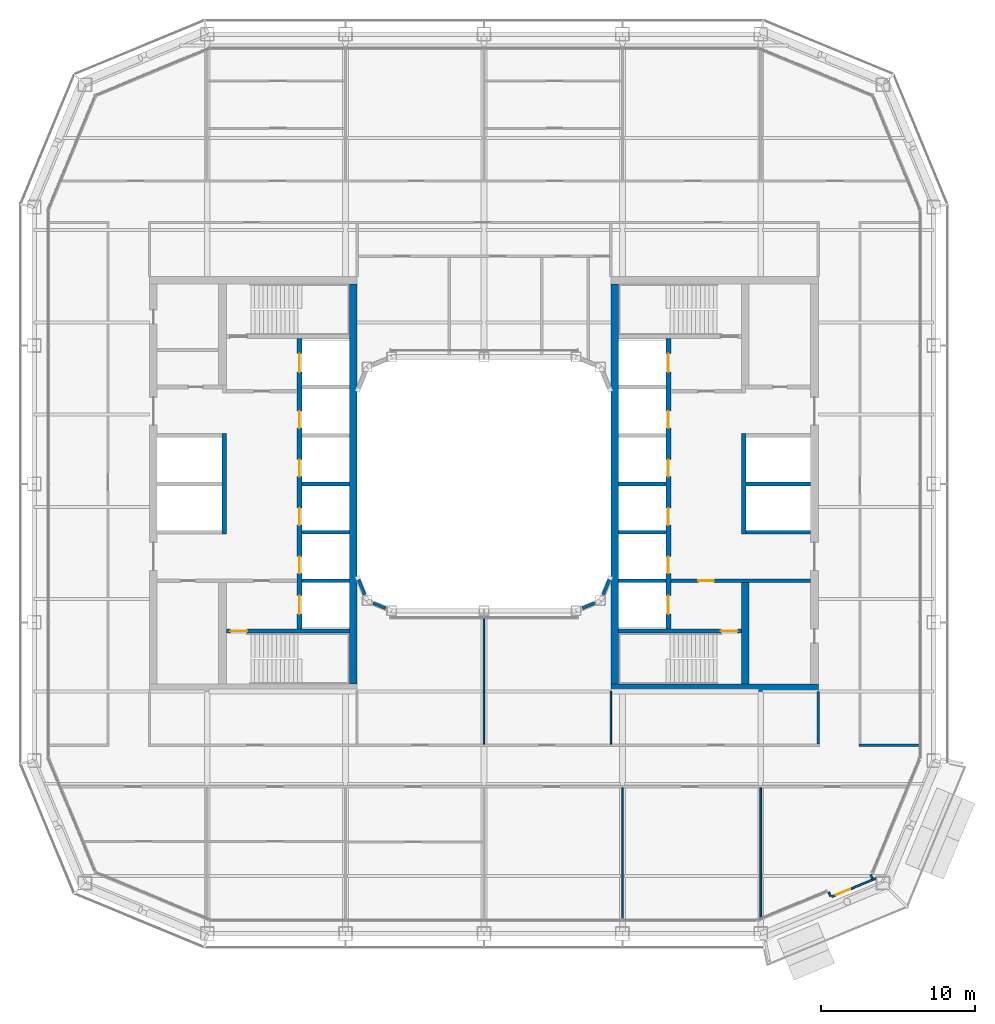
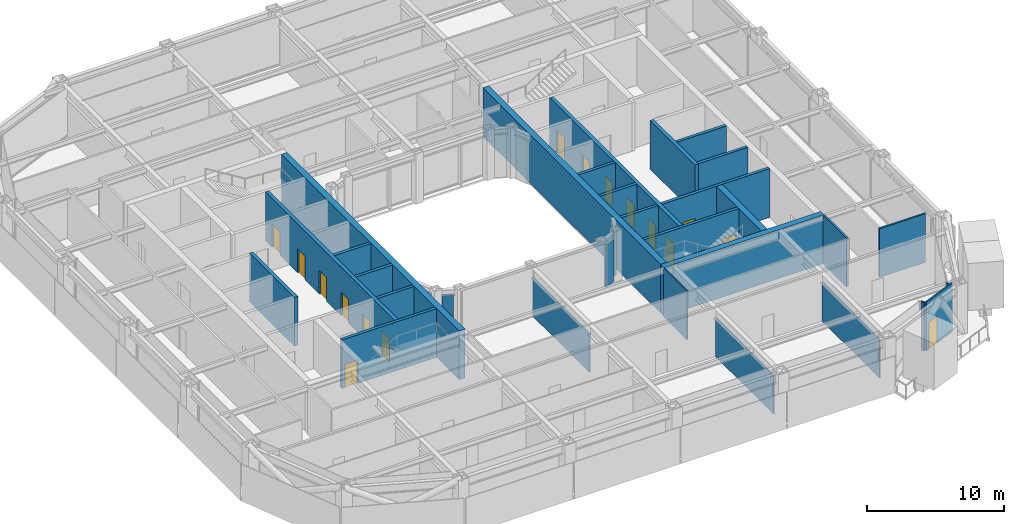
# One storey, part 12 of 23: 32 walls, 16 doors, 16 openings.
"""IFC4 building model written with IfcOpenShell, lengths in metres."""

from ifc_helpers import new_model, si_unit, direction, frame, frame_2d, origin, place, context, subcontext, project, spatial, rectangle, extrude, material, layer, layer_set, type_object, element, fill, save


model = new_model("IFC4")

# Units and contexts
model_context = context("Model", 3, precision=1e-05, world=origin(), true_north=direction((0.0, 1.0)))
body_context = subcontext(model_context, "Body", "Model", "MODEL_VIEW")
ifc_project = project(units=[si_unit("LENGTHUNIT", "METRE"), si_unit("AREAUNIT", "SQUARE_METRE"), si_unit("VOLUMEUNIT", "CUBIC_METRE"), si_unit("PLANEANGLEUNIT", "RADIAN"), si_unit("MASSUNIT", "GRAM", prefix="KILO")], contexts=[model_context])

# Site, building, storey
site_placement = place(None, origin())
site = spatial("IfcSite", under=ifc_project, at=site_placement, CompositionType="ELEMENT")
building_placement = place(site_placement, origin())
building = spatial("IfcBuilding", under=site, at=building_placement, Name="Siwar Civic Tower", CompositionType="ELEMENT")
storey_placement = place(building_placement, frame((0.0, 0.0, 145.199951171875)))
storey = spatial("IfcBuildingStorey", under=building, at=storey_placement, Name="L31", CompositionType="ELEMENT", Elevation=145.199951171875)

# Walls
ifc_material_1 = material(Name="Concrete C60/75", Category="concrete")
ifc_layer_1 = layer(ifc_material_1, 0.25)
ifc_layer_set_1 = layer_set([ifc_layer_1], Name="Concrete C60/75")
wall_type_1 = type_object("IfcWallType", Name="CORE-WALL-RC250", PredefinedType="SHEAR", material=ifc_layer_set_1)
for number, where, z_axis, x_axis, name in (
    (1, (-8.75, 0.0, 0.0), (0.0, 0.0, 1.0), (-1.0, 0.0, 0.0), "Core wall W"),
    (2, (-8.75, -3.14990234375, 0.0), (0.0, 0.0, 1.0), (-1.0, 0.0, 0.0), "Core wall W"),
    (3, (-8.75, -6.300048828125, 0.0), (0.0, 0.0, 1.0), (-1.0, 0.0, 0.0), "Core wall W"),
):
    element("IfcWall", number, at=place(storey_placement, frame(where, z_axis=z_axis, x_axis=x_axis)), inside=storey, type_object=wall_type_1, Name=name, PredefinedType="SHEAR", context=body_context, shape_type="SweptSolid", body=[
        extrude(rectangle(XDim=3.10009765625, YDim=0.25, at=frame_2d((1.550048828125, 0.0))), origin(), (0.0, 0.0, 1.0), 4.35009765625),
    ])

# Wall, opening, door
wall_1_placement = place(storey_placement, frame((-8.75, -9.574951171875, 0.0), z_axis=(0.0, 0.0, 1.0), x_axis=(-1.0, 0.0, 0.0)))
wall_1 = element("IfcWall", 4, at=wall_1_placement, inside=storey, type_object=wall_type_1, Name="Core wall W", PredefinedType="SHEAR", context=body_context, shape_type="SweptSolid", body=[
    extrude(rectangle(XDim=8.0, YDim=0.25, at=frame_2d((4.0, 0.0))), origin(), (0.0, 0.0, 1.0), 4.35009765625),
])
opening_1_placement = place(wall_1_placement, frame((6.64990234375, 0.0, 0.0)))
opening_1 = element("IfcOpeningElement", 5, at=opening_1_placement, cuts=wall_1, Name="Opening L31-CW04", PredefinedType="OPENING", context=body_context, shape_type="SweptSolid", body=[
    extrude(rectangle(XDim=1.10009765625, YDim=2.10009765625, at=frame_2d((0.550048828125, 1.050048828125))), frame((0.0, 0.135009765625, 0.0), z_axis=(0.0, -1.0, 0.0), x_axis=(1.0, 0.0, 0.0)), (0.0, 0.0, 1.0), 0.27001953125),
])
ifc_material_2 = material(Name="Steel door leaf", Category="steel")
door_type_1 = type_object("IfcDoorType", Name="CORE-DOOR-FD60S", OperationType="SINGLE_SWING_LEFT", PredefinedType="DOOR", material=ifc_material_2)
door_1_placement = place(opening_1_placement, origin())
door_1 = element("IfcDoor", 6, at=door_1_placement, inside=storey, type_object=door_type_1, Name="Stair door L31-CW04", OperationType="SINGLE_SWING_LEFT", OverallHeight=2.10009765625, OverallWidth=1.10009765625, PredefinedType="DOOR", context=body_context, shape_type="SweptSolid", body=[
    extrude(rectangle(XDim=1.10009765625, YDim=2.10009765625, at=frame_2d((0.550048828125, 1.050048828125))), frame((0.0, 0.02490234375, 0.0), z_axis=(0.0, -1.0, 0.0), x_axis=(1.0, 0.0, 0.0)), (0.0, 0.0, 1.0), 0.050048828125),
])
fill(opening_1, door_1)

wall_2_placement = place(storey_placement, frame((12.14990234375, -6.300048828125, 0.0), z_axis=(0.0, 0.0, 1.0), x_axis=(1.0, 0.0, 0.0)))
wall_2 = element("IfcWall", 7, at=wall_2_placement, inside=storey, type_object=wall_type_1, Name="Core wall E", PredefinedType="SHEAR", context=body_context, shape_type="SweptSolid", body=[
    extrude(rectangle(XDim=9.10009765625, YDim=0.25, at=frame_2d((4.550048828125, 0.0))), origin(), (0.0, 0.0, 1.0), 4.35009765625),
])
opening_2_placement = place(wall_2_placement, frame((1.800048828125, 0.0, 0.0)))
opening_2 = element("IfcOpeningElement", 8, at=opening_2_placement, cuts=wall_2, Name="Opening L31-CE02", PredefinedType="OPENING", context=body_context, shape_type="SweptSolid", body=[
    extrude(rectangle(XDim=1.0, YDim=2.10009765625, at=frame_2d((0.5, 1.050048828125))), frame((0.0, 0.135009765625, 0.0), z_axis=(0.0, -1.0, 0.0), x_axis=(1.0, 0.0, 0.0)), (0.0, 0.0, 1.0), 0.27001953125),
])
ifc_material_3 = material(Name="Steel door leaf", Category="steel")
door_type_2 = type_object("IfcDoorType", Name="CORE-DOOR-FD30S", OperationType="SINGLE_SWING_LEFT", PredefinedType="DOOR", material=ifc_material_3)
door_2_placement = place(opening_2_placement, origin())
door_2 = element("IfcDoor", 9, at=door_2_placement, inside=storey, type_object=door_type_2, Name="Service lobby door L31-CE02", OperationType="SINGLE_SWING_LEFT", OverallHeight=2.10009765625, OverallWidth=1.0, PredefinedType="DOOR", context=body_context, shape_type="SweptSolid", body=[
    extrude(rectangle(XDim=1.0, YDim=2.10009765625, at=frame_2d((0.5, 1.050048828125))), frame((0.0, 0.02490234375, 0.0), z_axis=(0.0, -1.0, 0.0), x_axis=(1.0, 0.0, 0.0)), (0.0, 0.0, 1.0), 0.050048828125),
])
fill(opening_2, door_2)

# Walls
for number, where, z_axis, x_axis, name in (
    (10, (17.050048828125, 0.0, 0.0), (0.0, 0.0, 1.0), (1.0, 0.0, 0.0), "Core wall E"),
    (11, (17.050048828125, -3.14990234375, 0.0), (0.0, 0.0, 1.0), (1.0, 0.0, 0.0), "Core wall E"),
):
    element("IfcWall", number, at=place(storey_placement, frame(where, z_axis=z_axis, x_axis=x_axis)), inside=storey, type_object=wall_type_1, Name=name, PredefinedType="SHEAR", context=body_context, shape_type="SweptSolid", body=[
        extrude(rectangle(XDim=4.199951171875, YDim=0.25, at=frame_2d((2.10009765625, 0.0))), origin(), (0.0, 0.0, 1.0), 4.35009765625),
    ])
for number, where, z_axis, x_axis, name in (
    (12, (8.75, 0.0, 0.0), (0.0, 0.0, 1.0), (1.0, 0.0, 0.0), "Core wall E"),
    (13, (8.75, -3.14990234375, 0.0), (0.0, 0.0, 1.0), (1.0, 0.0, 0.0), "Core wall E"),
    (14, (8.75, -6.300048828125, 0.0), (0.0, 0.0, 1.0), (1.0, 0.0, 0.0), "Core wall E"),
):
    element("IfcWall", number, at=place(storey_placement, frame(where, z_axis=z_axis, x_axis=x_axis)), inside=storey, type_object=wall_type_1, Name=name, PredefinedType="SHEAR", context=body_context, shape_type="SweptSolid", body=[
        extrude(rectangle(XDim=3.10009765625, YDim=0.25, at=frame_2d((1.550048828125, 0.0))), origin(), (0.0, 0.0, 1.0), 4.35009765625),
    ])

# Wall, opening, door
wall_3_placement = place(storey_placement, frame((8.75, -9.574951171875, 0.0), z_axis=(0.0, 0.0, 1.0), x_axis=(1.0, 0.0, 0.0)))
wall_3 = element("IfcWall", 15, at=wall_3_placement, inside=storey, type_object=wall_type_1, Name="Core wall E", PredefinedType="SHEAR", context=body_context, shape_type="SweptSolid", body=[
    extrude(rectangle(XDim=8.0, YDim=0.25, at=frame_2d((4.0, 0.0))), origin(), (0.0, 0.0, 1.0), 4.35009765625),
])
opening_3_placement = place(wall_3_placement, frame((6.64990234375, 0.0, 0.0)))
opening_3 = element("IfcOpeningElement", 16, at=opening_3_placement, cuts=wall_3, Name="Opening L31-CE04", PredefinedType="OPENING", context=body_context, shape_type="SweptSolid", body=[
    extrude(rectangle(XDim=1.10009765625, YDim=2.10009765625, at=frame_2d((0.550048828125, 1.050048828125))), frame((0.0, 0.135009765625, 0.0), z_axis=(0.0, -1.0, 0.0), x_axis=(1.0, 0.0, 0.0)), (0.0, 0.0, 1.0), 0.27001953125),
])
door_3_placement = place(opening_3_placement, origin())
door_3 = element("IfcDoor", 17, at=door_3_placement, inside=storey, type_object=door_type_1, Name="Stair door L31-CE04", OperationType="SINGLE_SWING_RIGHT", OverallHeight=2.10009765625, OverallWidth=1.10009765625, PredefinedType="DOOR", context=body_context, shape_type="SweptSolid", body=[
    extrude(rectangle(XDim=1.10009765625, YDim=2.10009765625, at=frame_2d((0.550048828125, 1.050048828125))), frame((0.0, 0.02490234375, 0.0), z_axis=(0.0, -1.0, 0.0), x_axis=(1.0, 0.0, 0.0)), (0.0, 0.0, 1.0), 0.050048828125),
])
fill(opening_3, door_3)

# Wall, openings, doors
ifc_material_4 = material(Name="Concrete C60/75", Category="concrete")
ifc_layer_2 = layer(ifc_material_4, 0.300048828125)
ifc_layer_set_2 = layer_set([ifc_layer_2], Name="Concrete C60/75")
wall_type_2 = type_object("IfcWallType", Name="CORE-WALL-RC300", PredefinedType="SHEAR", material=ifc_layer_set_2)
wall_4_placement = place(storey_placement, frame((-12.0, -9.449951171875, 0.0), z_axis=(0.0, 0.0, 1.0), x_axis=(0.0, 1.0, 0.0)))
wall_4 = element("IfcWall", 18, at=wall_4_placement, inside=storey, type_object=wall_type_2, Name="Core wall W", PredefinedType="SHEAR", context=body_context, shape_type="SweptSolid", body=[
    extrude(rectangle(XDim=18.89990234375, YDim=0.300048828125, at=frame_2d((9.449951171875, 0.0))), origin(), (0.0, 0.0, 1.0), 4.35009765625),
])
opening_4_placement = place(wall_4_placement, frame((3.625, 0.0, 0.0)))
opening_4 = element("IfcOpeningElement", 19, at=opening_4_placement, cuts=wall_4, Name="Opening L31-CW07", PredefinedType="OPENING", context=body_context, shape_type="SweptSolid", body=[
    extrude(rectangle(XDim=1.10009765625, YDim=2.10009765625, at=frame_2d((0.550048828125, 1.050048828125))), frame((0.0, 0.16015625, 0.0), z_axis=(0.0, -1.0, 0.0), x_axis=(1.0, 0.0, 0.0)), (0.0, 0.0, 1.0), 0.320068359375),
])
opening_5_placement = place(wall_4_placement, frame((6.77490234375, 0.0, 0.0)))
opening_5 = element("IfcOpeningElement", 20, at=opening_5_placement, cuts=wall_4, Name="Opening L31-CW08", PredefinedType="OPENING", context=body_context, shape_type="SweptSolid", body=[
    extrude(rectangle(XDim=1.10009765625, YDim=2.10009765625, at=frame_2d((0.550048828125, 1.050048828125))), frame((0.0, 0.16015625, 0.0), z_axis=(0.0, -1.0, 0.0), x_axis=(1.0, 0.0, 0.0)), (0.0, 0.0, 1.0), 0.320068359375),
])
opening_6_placement = place(wall_4_placement, frame((9.925048828125, 0.0, 0.0)))
opening_6 = element("IfcOpeningElement", 21, at=opening_6_placement, cuts=wall_4, Name="Opening L31-CW09", PredefinedType="OPENING", context=body_context, shape_type="SweptSolid", body=[
    extrude(rectangle(XDim=1.10009765625, YDim=2.10009765625, at=frame_2d((0.550048828125, 1.050048828125))), frame((0.0, 0.16015625, 0.0), z_axis=(0.0, -1.0, 0.0), x_axis=(1.0, 0.0, 0.0)), (0.0, 0.0, 1.0), 0.320068359375),
])
opening_7_placement = place(wall_4_placement, frame((13.074951171875, 0.0, 0.0)))
opening_7 = element("IfcOpeningElement", 22, at=opening_7_placement, cuts=wall_4, Name="Opening L31-CW10", PredefinedType="OPENING", context=body_context, shape_type="SweptSolid", body=[
    extrude(rectangle(XDim=1.10009765625, YDim=2.10009765625, at=frame_2d((0.550048828125, 1.050048828125))), frame((0.0, 0.16015625, 0.0), z_axis=(0.0, -1.0, 0.0), x_axis=(1.0, 0.0, 0.0)), (0.0, 0.0, 1.0), 0.320068359375),
])
opening_8_placement = place(wall_4_placement, frame((16.72509765625, 0.0, 0.0)))
opening_8 = element("IfcOpeningElement", 23, at=opening_8_placement, cuts=wall_4, Name="Opening L31-CW11", PredefinedType="OPENING", context=body_context, shape_type="SweptSolid", body=[
    extrude(rectangle(XDim=1.199951171875, YDim=2.10009765625, at=frame_2d((0.60009765625, 1.050048828125))), frame((0.0, 0.16015625, 0.0), z_axis=(0.0, -1.0, 0.0), x_axis=(1.0, 0.0, 0.0)), (0.0, 0.0, 1.0), 0.320068359375),
])
opening_9_placement = place(wall_4_placement, frame((0.97509765625, 0.0, 0.0)))
opening_9 = element("IfcOpeningElement", 24, at=opening_9_placement, cuts=wall_4, Name="Opening L31-CW12", PredefinedType="OPENING", context=body_context, shape_type="SweptSolid", body=[
    extrude(rectangle(XDim=1.199951171875, YDim=2.10009765625, at=frame_2d((0.60009765625, 1.050048828125))), frame((0.0, 0.16015625, 0.0), z_axis=(0.0, -1.0, 0.0), x_axis=(1.0, 0.0, 0.0)), (0.0, 0.0, 1.0), 0.320068359375),
])
ifc_material_5 = material(Name="Steel door leaf", Category="steel")
door_type_3 = type_object("IfcDoorType", Name="CORE-DOOR-LD", OperationType="DOUBLE_DOOR_SLIDING", PredefinedType="DOOR", material=ifc_material_5)
door_4_placement = place(opening_4_placement, origin())
door_4 = element("IfcDoor", 25, at=door_4_placement, inside=storey, type_object=door_type_3, Name="Landing door LR1 L31-CW07", OperationType="DOUBLE_DOOR_SLIDING", OverallHeight=2.10009765625, OverallWidth=1.10009765625, PredefinedType="DOOR", context=body_context, shape_type="SweptSolid", body=[
    extrude(rectangle(XDim=1.10009765625, YDim=2.10009765625, at=frame_2d((0.550048828125, 1.050048828125))), frame((0.0, 0.02490234375, 0.0), z_axis=(0.0, -1.0, 0.0), x_axis=(1.0, 0.0, 0.0)), (0.0, 0.0, 1.0), 0.050048828125),
])
fill(opening_4, door_4)
door_5_placement = place(opening_5_placement, origin())
door_5 = element("IfcDoor", 26, at=door_5_placement, inside=storey, type_object=door_type_3, Name="Landing door LR2 L31-CW08", OperationType="DOUBLE_DOOR_SLIDING", OverallHeight=2.10009765625, OverallWidth=1.10009765625, PredefinedType="DOOR", context=body_context, shape_type="SweptSolid", body=[
    extrude(rectangle(XDim=1.10009765625, YDim=2.10009765625, at=frame_2d((0.550048828125, 1.050048828125))), frame((0.0, 0.02490234375, 0.0), z_axis=(0.0, -1.0, 0.0), x_axis=(1.0, 0.0, 0.0)), (0.0, 0.0, 1.0), 0.050048828125),
])
fill(opening_5, door_5)
door_6_placement = place(opening_6_placement, origin())
door_6 = element("IfcDoor", 27, at=door_6_placement, inside=storey, type_object=door_type_3, Name="Landing door LR3 L31-CW09", OperationType="DOUBLE_DOOR_SLIDING", OverallHeight=2.10009765625, OverallWidth=1.10009765625, PredefinedType="DOOR", context=body_context, shape_type="SweptSolid", body=[
    extrude(rectangle(XDim=1.10009765625, YDim=2.10009765625, at=frame_2d((0.550048828125, 1.050048828125))), frame((0.0, 0.02490234375, 0.0), z_axis=(0.0, -1.0, 0.0), x_axis=(1.0, 0.0, 0.0)), (0.0, 0.0, 1.0), 0.050048828125),
])
fill(opening_6, door_6)
door_7_placement = place(opening_7_placement, origin())
door_7 = element("IfcDoor", 28, at=door_7_placement, inside=storey, type_object=door_type_3, Name="Landing door LR4 L31-CW10", OperationType="DOUBLE_DOOR_SLIDING", OverallHeight=2.10009765625, OverallWidth=1.10009765625, PredefinedType="DOOR", context=body_context, shape_type="SweptSolid", body=[
    extrude(rectangle(XDim=1.10009765625, YDim=2.10009765625, at=frame_2d((0.550048828125, 1.050048828125))), frame((0.0, 0.02490234375, 0.0), z_axis=(0.0, -1.0, 0.0), x_axis=(1.0, 0.0, 0.0)), (0.0, 0.0, 1.0), 0.050048828125),
])
fill(opening_7, door_7)
ifc_material_6 = material(Name="Steel door leaf", Category="steel")
door_type_4 = type_object("IfcDoorType", Name="CORE-DOOR-LDW", OperationType="DOUBLE_DOOR_SLIDING", PredefinedType="DOOR", material=ifc_material_6)
door_8_placement = place(opening_8_placement, origin())
door_8 = element("IfcDoor", 29, at=door_8_placement, inside=storey, type_object=door_type_4, Name="Landing door FF1 L31-CW11", OperationType="DOUBLE_DOOR_SLIDING", OverallHeight=2.10009765625, OverallWidth=1.199951171875, PredefinedType="DOOR", context=body_context, shape_type="SweptSolid", body=[
    extrude(rectangle(XDim=1.199951171875, YDim=2.10009765625, at=frame_2d((0.60009765625, 1.050048828125))), frame((0.0, 0.02490234375, 0.0), z_axis=(0.0, -1.0, 0.0), x_axis=(1.0, 0.0, 0.0)), (0.0, 0.0, 1.0), 0.050048828125),
])
fill(opening_8, door_8)
door_9_placement = place(opening_9_placement, origin())
door_9 = element("IfcDoor", 30, at=door_9_placement, inside=storey, type_object=door_type_4, Name="Landing door SV1 L31-CW12", OperationType="DOUBLE_DOOR_SLIDING", OverallHeight=2.10009765625, OverallWidth=1.199951171875, PredefinedType="DOOR", context=body_context, shape_type="SweptSolid", body=[
    extrude(rectangle(XDim=1.199951171875, YDim=2.10009765625, at=frame_2d((0.60009765625, 1.050048828125))), frame((0.0, 0.02490234375, 0.0), z_axis=(0.0, -1.0, 0.0), x_axis=(1.0, 0.0, 0.0)), (0.0, 0.0, 1.0), 0.050048828125),
])
fill(opening_9, door_9)

# Wall
wall_5_placement = place(storey_placement, frame((-16.89990234375, -3.27490234375, 0.0), z_axis=(0.0, 0.0, 1.0), x_axis=(0.0, 1.0, 0.0)))
element("IfcWall", 31, at=wall_5_placement, inside=storey, type_object=wall_type_2, Name="Core wall W", PredefinedType="SHEAR", context=body_context, shape_type="SweptSolid", body=[
    extrude(rectangle(XDim=6.5498046875, YDim=0.300048828125, at=frame_2d((3.27490234375, 0.0))), origin(), (0.0, 0.0, 1.0), 4.35009765625),
])

# Wall, openings, doors
wall_6_placement = place(storey_placement, frame((12.0, -9.449951171875, 0.0), z_axis=(0.0, 0.0, 1.0), x_axis=(0.0, 1.0, 0.0)))
wall_6 = element("IfcWall", 32, at=wall_6_placement, inside=storey, type_object=wall_type_2, Name="Core wall E", PredefinedType="SHEAR", context=body_context, shape_type="SweptSolid", body=[
    extrude(rectangle(XDim=18.89990234375, YDim=0.300048828125, at=frame_2d((9.449951171875, 0.0))), origin(), (0.0, 0.0, 1.0), 4.35009765625),
])
opening_10_placement = place(wall_6_placement, frame((3.625, 0.0, 0.0)))
opening_10 = element("IfcOpeningElement", 33, at=opening_10_placement, cuts=wall_6, Name="Opening L31-CE07", PredefinedType="OPENING", context=body_context, shape_type="SweptSolid", body=[
    extrude(rectangle(XDim=1.10009765625, YDim=2.10009765625, at=frame_2d((0.550048828125, 1.050048828125))), frame((0.0, 0.16015625, 0.0), z_axis=(0.0, -1.0, 0.0), x_axis=(1.0, 0.0, 0.0)), (0.0, 0.0, 1.0), 0.320068359375),
])
opening_11_placement = place(wall_6_placement, frame((6.77490234375, 0.0, 0.0)))
opening_11 = element("IfcOpeningElement", 34, at=opening_11_placement, cuts=wall_6, Name="Opening L31-CE08", PredefinedType="OPENING", context=body_context, shape_type="SweptSolid", body=[
    extrude(rectangle(XDim=1.10009765625, YDim=2.10009765625, at=frame_2d((0.550048828125, 1.050048828125))), frame((0.0, 0.16015625, 0.0), z_axis=(0.0, -1.0, 0.0), x_axis=(1.0, 0.0, 0.0)), (0.0, 0.0, 1.0), 0.320068359375),
])
opening_12_placement = place(wall_6_placement, frame((9.925048828125, 0.0, 0.0)))
opening_12 = element("IfcOpeningElement", 35, at=opening_12_placement, cuts=wall_6, Name="Opening L31-CE09", PredefinedType="OPENING", context=body_context, shape_type="SweptSolid", body=[
    extrude(rectangle(XDim=1.10009765625, YDim=2.10009765625, at=frame_2d((0.550048828125, 1.050048828125))), frame((0.0, 0.16015625, 0.0), z_axis=(0.0, -1.0, 0.0), x_axis=(1.0, 0.0, 0.0)), (0.0, 0.0, 1.0), 0.320068359375),
])
opening_13_placement = place(wall_6_placement, frame((13.074951171875, 0.0, 0.0)))
opening_13 = element("IfcOpeningElement", 36, at=opening_13_placement, cuts=wall_6, Name="Opening L31-CE10", PredefinedType="OPENING", context=body_context, shape_type="SweptSolid", body=[
    extrude(rectangle(XDim=1.10009765625, YDim=2.10009765625, at=frame_2d((0.550048828125, 1.050048828125))), frame((0.0, 0.16015625, 0.0), z_axis=(0.0, -1.0, 0.0), x_axis=(1.0, 0.0, 0.0)), (0.0, 0.0, 1.0), 0.320068359375),
])
opening_14_placement = place(wall_6_placement, frame((16.72509765625, 0.0, 0.0)))
opening_14 = element("IfcOpeningElement", 37, at=opening_14_placement, cuts=wall_6, Name="Opening L31-CE11", PredefinedType="OPENING", context=body_context, shape_type="SweptSolid", body=[
    extrude(rectangle(XDim=1.199951171875, YDim=2.10009765625, at=frame_2d((0.60009765625, 1.050048828125))), frame((0.0, 0.16015625, 0.0), z_axis=(0.0, -1.0, 0.0), x_axis=(1.0, 0.0, 0.0)), (0.0, 0.0, 1.0), 0.320068359375),
])
opening_15_placement = place(wall_6_placement, frame((0.97509765625, 0.0, 0.0)))
opening_15 = element("IfcOpeningElement", 38, at=opening_15_placement, cuts=wall_6, Name="Opening L31-CE12", PredefinedType="OPENING", context=body_context, shape_type="SweptSolid", body=[
    extrude(rectangle(XDim=1.199951171875, YDim=2.10009765625, at=frame_2d((0.60009765625, 1.050048828125))), frame((0.0, 0.16015625, 0.0), z_axis=(0.0, -1.0, 0.0), x_axis=(1.0, 0.0, 0.0)), (0.0, 0.0, 1.0), 0.320068359375),
])
door_10_placement = place(opening_10_placement, origin())
door_10 = element("IfcDoor", 39, at=door_10_placement, inside=storey, type_object=door_type_3, Name="Landing door LR5 L31-CE07", OperationType="DOUBLE_DOOR_SLIDING", OverallHeight=2.10009765625, OverallWidth=1.10009765625, PredefinedType="DOOR", context=body_context, shape_type="SweptSolid", body=[
    extrude(rectangle(XDim=1.10009765625, YDim=2.10009765625, at=frame_2d((0.550048828125, 1.050048828125))), frame((0.0, 0.02490234375, 0.0), z_axis=(0.0, -1.0, 0.0), x_axis=(1.0, 0.0, 0.0)), (0.0, 0.0, 1.0), 0.050048828125),
])
fill(opening_10, door_10)
door_11_placement = place(opening_11_placement, origin())
door_11 = element("IfcDoor", 40, at=door_11_placement, inside=storey, type_object=door_type_3, Name="Landing door LR6 L31-CE08", OperationType="DOUBLE_DOOR_SLIDING", OverallHeight=2.10009765625, OverallWidth=1.10009765625, PredefinedType="DOOR", context=body_context, shape_type="SweptSolid", body=[
    extrude(rectangle(XDim=1.10009765625, YDim=2.10009765625, at=frame_2d((0.550048828125, 1.050048828125))), frame((0.0, 0.02490234375, 0.0), z_axis=(0.0, -1.0, 0.0), x_axis=(1.0, 0.0, 0.0)), (0.0, 0.0, 1.0), 0.050048828125),
])
fill(opening_11, door_11)
door_12_placement = place(opening_12_placement, origin())
door_12 = element("IfcDoor", 41, at=door_12_placement, inside=storey, type_object=door_type_3, Name="Landing door LR7 L31-CE09", OperationType="DOUBLE_DOOR_SLIDING", OverallHeight=2.10009765625, OverallWidth=1.10009765625, PredefinedType="DOOR", context=body_context, shape_type="SweptSolid", body=[
    extrude(rectangle(XDim=1.10009765625, YDim=2.10009765625, at=frame_2d((0.550048828125, 1.050048828125))), frame((0.0, 0.02490234375, 0.0), z_axis=(0.0, -1.0, 0.0), x_axis=(1.0, 0.0, 0.0)), (0.0, 0.0, 1.0), 0.050048828125),
])
fill(opening_12, door_12)
door_13_placement = place(opening_13_placement, origin())
door_13 = element("IfcDoor", 42, at=door_13_placement, inside=storey, type_object=door_type_3, Name="Landing door LR8 L31-CE10", OperationType="DOUBLE_DOOR_SLIDING", OverallHeight=2.10009765625, OverallWidth=1.10009765625, PredefinedType="DOOR", context=body_context, shape_type="SweptSolid", body=[
    extrude(rectangle(XDim=1.10009765625, YDim=2.10009765625, at=frame_2d((0.550048828125, 1.050048828125))), frame((0.0, 0.02490234375, 0.0), z_axis=(0.0, -1.0, 0.0), x_axis=(1.0, 0.0, 0.0)), (0.0, 0.0, 1.0), 0.050048828125),
])
fill(opening_13, door_13)
door_14_placement = place(opening_14_placement, origin())
door_14 = element("IfcDoor", 43, at=door_14_placement, inside=storey, type_object=door_type_4, Name="Landing door FF2 L31-CE11", OperationType="DOUBLE_DOOR_SLIDING", OverallHeight=2.10009765625, OverallWidth=1.199951171875, PredefinedType="DOOR", context=body_context, shape_type="SweptSolid", body=[
    extrude(rectangle(XDim=1.199951171875, YDim=2.10009765625, at=frame_2d((0.60009765625, 1.050048828125))), frame((0.0, 0.02490234375, 0.0), z_axis=(0.0, -1.0, 0.0), x_axis=(1.0, 0.0, 0.0)), (0.0, 0.0, 1.0), 0.050048828125),
])
fill(opening_14, door_14)
door_15_placement = place(opening_15_placement, origin())
door_15 = element("IfcDoor", 44, at=door_15_placement, inside=storey, type_object=door_type_4, Name="Landing door SV2 L31-CE12", OperationType="DOUBLE_DOOR_SLIDING", OverallHeight=2.10009765625, OverallWidth=1.199951171875, PredefinedType="DOOR", context=body_context, shape_type="SweptSolid", body=[
    extrude(rectangle(XDim=1.199951171875, YDim=2.10009765625, at=frame_2d((0.60009765625, 1.050048828125))), frame((0.0, 0.02490234375, 0.0), z_axis=(0.0, -1.0, 0.0), x_axis=(1.0, 0.0, 0.0)), (0.0, 0.0, 1.0), 0.050048828125),
])
fill(opening_15, door_15)

# Walls
wall_7_placement = place(storey_placement, frame((16.89990234375, -3.27490234375, 0.0), z_axis=(0.0, 0.0, 1.0), x_axis=(0.0, 1.0, 0.0)))
element("IfcWall", 45, at=wall_7_placement, inside=storey, type_object=wall_type_2, Name="Core wall E", PredefinedType="SHEAR", context=body_context, shape_type="SweptSolid", body=[
    extrude(rectangle(XDim=6.5498046875, YDim=0.300048828125, at=frame_2d((3.27490234375, 0.0))), origin(), (0.0, 0.0, 1.0), 4.35009765625),
])
ifc_material_7 = material(Name="Concrete C60/75", Category="concrete")
ifc_layer_3 = layer(ifc_material_7, 0.5)
ifc_layer_set_3 = layer_set([ifc_layer_3], Name="Concrete C60/75")
wall_type_3 = type_object("IfcWallType", Name="CORE-WALL-RC500", PredefinedType="SHEAR", material=ifc_layer_set_3)
wall_8_placement = place(storey_placement, frame((17.0, -13.0, 0.0), z_axis=(0.0, 0.0, 1.0), x_axis=(0.0, 1.0, 0.0)))
element("IfcWall", 46, at=wall_8_placement, inside=storey, type_object=wall_type_3, Name="Core wall E", PredefinedType="SHEAR", context=body_context, shape_type="SweptSolid", body=[
    extrude(rectangle(XDim=6.574951171875, YDim=0.5, at=frame_2d((3.28759765625, 0.0))), origin(), (0.0, 0.0, 1.0), 4.35009765625),
])
wall_9_placement = place(storey_placement, frame((8.25, -13.25, 0.0), z_axis=(0.0, 0.0, 1.0), x_axis=(1.0, 0.0, 0.0)))
element("IfcWall", 47, at=wall_9_placement, inside=storey, type_object=wall_type_3, Name="Core wall E", PredefinedType="SHEAR", context=body_context, shape_type="SweptSolid", body=[
    extrude(rectangle(XDim=13.5, YDim=0.5, at=frame_2d((6.75, 0.0))), origin(), (0.0, 0.0, 1.0), 4.35009765625),
])
ifc_material_8 = material(Name="Concrete C60/75", Category="concrete")
ifc_layer_4 = layer(ifc_material_8, 0.5)
ifc_layer_set_4 = layer_set([ifc_layer_4], Name="Concrete C60/75")
wall_type_4 = type_object("IfcWallType", Name="CORE-WALL-RC500-EXT", PredefinedType="SHEAR", material=ifc_layer_set_4)
for number, where, z_axis, x_axis, name in (
    (48, (-8.5, -13.0, 0.0), (0.0, 0.0, 1.0), (0.0, 1.0, 0.0), "Core wall W"),
    (49, (8.5, -13.0, 0.0), (0.0, 0.0, 1.0), (0.0, 1.0, 0.0), "Core wall E"),
):
    element("IfcWall", number, at=place(storey_placement, frame(where, z_axis=z_axis, x_axis=x_axis)), inside=storey, type_object=wall_type_4, Name=name, PredefinedType="SHEAR", context=body_context, shape_type="SweptSolid", body=[
        extrude(rectangle(XDim=26.0, YDim=0.5, at=frame_2d((13.0, 0.0))), origin(), (0.0, 0.0, 1.0), 4.35009765625),
    ])
ifc_material_9 = material(Name="Gypsum board on steel studs", Category="steel")
ifc_layer_5 = layer(ifc_material_9, 0.14990234375)
ifc_layer_set_5 = layer_set([ifc_layer_5], Name="Gypsum board on steel studs")
wall_type_5 = type_object("IfcWallType", Name="CORRIDOR PARTITION 150 EI 30", PredefinedType="PARTITIONING", material=ifc_layer_set_5)
wall_10_placement = place(storey_placement, frame((24.375, -17.0, 0.0), z_axis=(0.0, 0.0, 1.0), x_axis=(1.0, 0.0, 0.0)))
element("IfcWall", 50, at=wall_10_placement, inside=storey, type_object=wall_type_5, Name="L31/wall/P06", PredefinedType="PARTITIONING", context=body_context, shape_type="SweptSolid", body=[
    extrude(rectangle(XDim=3.885009765625, YDim=0.14990234375, at=frame_2d((1.9423828125, 0.0))), origin(), (0.0, 0.0, 1.0), 4.35009765625),
])
wall_11_placement = place(storey_placement, frame((21.75, -16.925048828125, 0.0), z_axis=(0.0, 0.0, 1.0), x_axis=(0.0, 1.0, 0.0)))
element("IfcWall", 51, at=wall_11_placement, inside=storey, type_object=wall_type_5, Name="L31/wall/P40", PredefinedType="PARTITIONING", context=body_context, shape_type="SweptSolid", body=[
    extrude(rectangle(XDim=3.425048828125, YDim=0.14990234375, at=frame_2d((1.71240234375, 0.0))), origin(), (0.0, 0.0, 1.0), 4.35009765625),
])
ifc_material_10 = material(Name="Aluminium clad insulated panel", Category="aluminium")
ifc_layer_6 = layer(ifc_material_10, 0.1201171875)
ifc_layer_set_6 = layer_set([ifc_layer_6], Name="Aluminium clad insulated panel")
wall_type_6 = type_object("IfcWallType", Name="ENV-WALL-BAL", PredefinedType="STANDARD", material=ifc_layer_set_6)
for number, where, z_axis, x_axis, name in (
    (52, (22.42529296875, -26.551025390625, 0.0), (0.0, 0.0, 1.0), (0.382103986862, -0.924119333865, 0.0), "Balcony door wall return SE1"),
    (53, (25.153076171875, -25.421142578125, 0.0), (0.0, 0.0, 1.0), (0.383120166156, -0.923698510492, 0.0), "Balcony door wall return SE1"),
):
    element("IfcWall", number, at=place(storey_placement, frame(where, z_axis=z_axis, x_axis=x_axis)), inside=storey, type_object=wall_type_6, Name=name, PredefinedType="STANDARD", context=body_context, shape_type="SweptSolid", body=[
        extrude(rectangle(XDim=0.2900390625, YDim=0.1201171875, at=frame_2d((0.14501953125, 0.0))), origin(), (0.0, 0.0, 1.0), 4.35009765625),
    ])

# Wall, opening, door
wall_12_placement = place(storey_placement, frame((22.614501953125, -26.8515625, 0.0), z_axis=(0.0, 0.0, 1.0), x_axis=(0.923876066186, 0.382691800707, 0.0)))
wall_12 = element("IfcWall", 54, at=wall_12_placement, inside=storey, type_object=wall_type_6, Name="Balcony door wall SE1", PredefinedType="STANDARD", context=body_context, shape_type="SweptSolid", body=[
    extrude(rectangle(XDim=3.12841796875, YDim=0.1201171875, at=frame_2d((1.564208984375, 0.0))), origin(), (0.0, 0.0, 1.0), 4.35009765625),
])
opening_16_placement = place(wall_12_placement, frame((0.300048828125, 0.0, 0.0)))
opening_16 = element("IfcOpeningElement", 55, at=opening_16_placement, cuts=wall_12, Name="Opening D-BAL", PredefinedType="OPENING", context=body_context, shape_type="SweptSolid", body=[
    extrude(rectangle(XDim=1.0, YDim=2.39990234375, at=frame_2d((0.5, 1.199951171875))), frame((0.0, 0.070068359375, 0.0), z_axis=(0.0, -1.0, 0.0), x_axis=(1.0, 0.0, 0.0)), (0.0, 0.0, 1.0), 0.14013671875),
])
ifc_material_11 = material(Name="Aluminium and glass", Category="aluminium")
door_type_5 = type_object("IfcDoorType", Name="ENV-DOOR-BAL", OperationType="SINGLE_SWING_LEFT", PredefinedType="DOOR", material=ifc_material_11)
door_16_placement = place(opening_16_placement, origin())
door_16 = element("IfcDoor", 56, at=door_16_placement, inside=storey, type_object=door_type_5, Name="Balcony door SE", OperationType="SINGLE_SWING_LEFT", OverallHeight=2.39990234375, OverallWidth=1.0, PredefinedType="DOOR", context=body_context, shape_type="SweptSolid", body=[
    extrude(rectangle(XDim=1.0, YDim=2.39990234375, at=frame_2d((0.5, 1.199951171875))), frame((0.0, 0.02490234375, 0.0), z_axis=(0.0, -1.0, 0.0), x_axis=(1.0, 0.0, 0.0)), (0.0, 0.0, 1.0), 0.050048828125),
])
fill(opening_16, door_16)

# Walls
ifc_material_12 = material(Name="Aluminium clad insulated panel", Category="aluminium")
ifc_layer_7 = layer(ifc_material_12, 0.199951171875)
ifc_layer_set_7 = layer_set([ifc_layer_7], Name="Aluminium clad insulated panel")
wall_type_7 = type_object("IfcWallType", Name="ENV-WALL-WELL", PredefinedType="STANDARD", material=ifc_layer_set_7)
wall_13_placement = place(storey_placement, frame((6.392333984375, -8.08740234375, 0.0), z_axis=(0.0, 0.0, 1.0), x_axis=(0.923894108428, 0.382648241093, 0.0)))
element("IfcWall", 57, at=wall_13_placement, inside=storey, type_object=wall_type_7, Name="Light well corner wall SE1", PredefinedType="STANDARD", context=body_context, shape_type="SweptSolid", body=[
    extrude(rectangle(XDim=0.872802734375, YDim=0.199951171875, at=frame_2d((0.4365234375, 0.0))), origin(), (0.0, 0.0, 1.0), 3.825927734375),
])
for number, where, z_axis, x_axis, name in (
    (58, (7.75341796875, -7.19873046875, 0.0), (0.0, 0.0, 1.0), (0.382694858887, 0.923874799408, 0.0), "Light well corner wall SE2"),
    (59, (-8.154296875, -6.23095703125, 0.0), (0.0, 0.0, 1.0), (0.382694858887, -0.923874799408, 0.0), "Light well corner wall SW1"),
):
    element("IfcWall", number, at=place(storey_placement, frame(where, z_axis=z_axis, x_axis=x_axis)), inside=storey, type_object=wall_type_7, Name=name, PredefinedType="STANDARD", context=body_context, shape_type="SweptSolid", body=[
        extrude(rectangle(XDim=1.047607421875, YDim=0.199951171875, at=frame_2d((0.52392578125, 0.0))), origin(), (0.0, 0.0, 1.0), 3.825927734375),
    ])
wall_14_placement = place(storey_placement, frame((-7.19873046875, -7.75341796875, 0.0), z_axis=(0.0, 0.0, 1.0), x_axis=(0.923894108428, -0.382648241093, 0.0)))
element("IfcWall", 60, at=wall_14_placement, inside=storey, type_object=wall_type_7, Name="Light well corner wall SW2", PredefinedType="STANDARD", context=body_context, shape_type="SweptSolid", body=[
    extrude(rectangle(XDim=0.872802734375, YDim=0.199951171875, at=frame_2d((0.4365234375, 0.0))), origin(), (0.0, 0.0, 1.0), 3.825927734375),
])
ifc_material_13 = material(Name="Gypsum board on steel studs", Category="steel")
ifc_layer_8 = layer(ifc_material_13, 0.10009765625)
ifc_layer_set_8 = layer_set([ifc_layer_8], Name="Gypsum board on steel studs")
wall_type_8 = type_object("IfcWallType", Name="PARTITION 100 GYPSUM", PredefinedType="PARTITIONING", material=ifc_layer_set_8)
wall_15_placement = place(storey_placement, frame((0.0, -16.925048828125, 0.0), z_axis=(0.0, 0.0, 1.0), x_axis=(0.0, 1.0, 0.0)))
element("IfcWall", 61, at=wall_15_placement, inside=storey, type_object=wall_type_8, Name="L31/wall/P29", PredefinedType="PARTITIONING", context=body_context, shape_type="SweptSolid", body=[
    extrude(rectangle(XDim=8.275146484375, YDim=0.10009765625, at=frame_2d((4.1376953125, 0.0))), origin(), (0.0, 0.0, 1.0), 3.449951171875),
])
wall_16_placement = place(storey_placement, frame((8.25, -16.925048828125, 0.0), z_axis=(0.0, 0.0, 1.0), x_axis=(0.0, 1.0, 0.0)))
element("IfcWall", 62, at=wall_16_placement, inside=storey, type_object=wall_type_8, Name="L31/wall/P33", PredefinedType="PARTITIONING", context=body_context, shape_type="SweptSolid", body=[
    extrude(rectangle(XDim=3.425048828125, YDim=0.10009765625, at=frame_2d((1.71240234375, 0.0))), origin(), (0.0, 0.0, 1.0), 4.35009765625),
])
wall_17_placement = place(storey_placement, frame((9.0, -28.260009765625, 0.0), z_axis=(0.0, 0.0, 1.0), x_axis=(0.0, 1.0, 0.0)))
element("IfcWall", 63, at=wall_17_placement, inside=storey, type_object=wall_type_8, Name="L31/wall/P36", PredefinedType="PARTITIONING", context=body_context, shape_type="SweptSolid", body=[
    extrude(rectangle(XDim=8.485107421875, YDim=0.10009765625, at=frame_2d((4.24267578125, 0.0))), origin(), (0.0, 0.0, 1.0), 3.449951171875),
])
wall_18_placement = place(storey_placement, frame((18.0, -28.177978515625, 0.0), z_axis=(0.0, 0.0, 1.0), x_axis=(0.0, 1.0, 0.0)))
element("IfcWall", 64, at=wall_18_placement, inside=storey, type_object=wall_type_8, Name="L31/wall/P38", PredefinedType="PARTITIONING", context=body_context, shape_type="SweptSolid", body=[
    extrude(rectangle(XDim=8.403076171875, YDim=0.10009765625, at=frame_2d((4.20166015625, 0.0))), origin(), (0.0, 0.0, 1.0), 3.449951171875),
])

save(model, "model.ifc")
